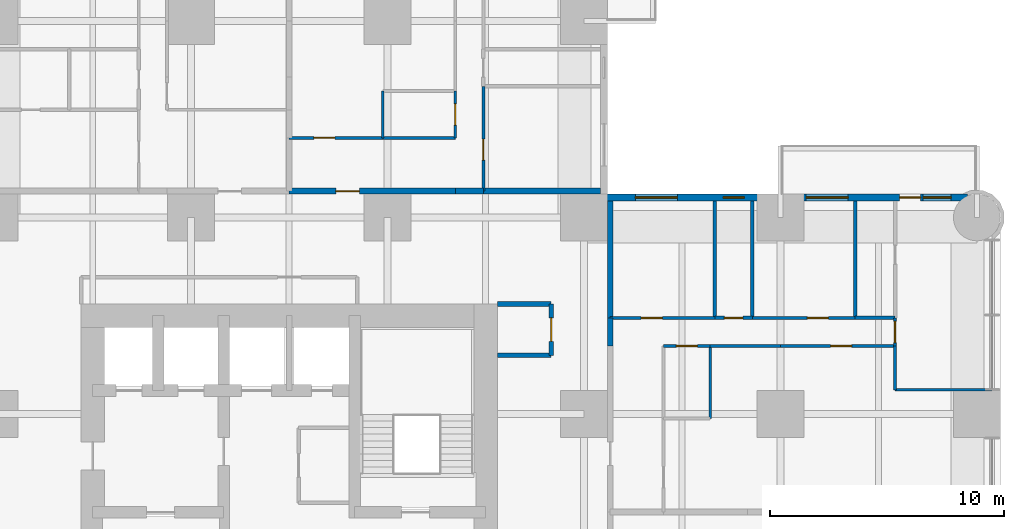
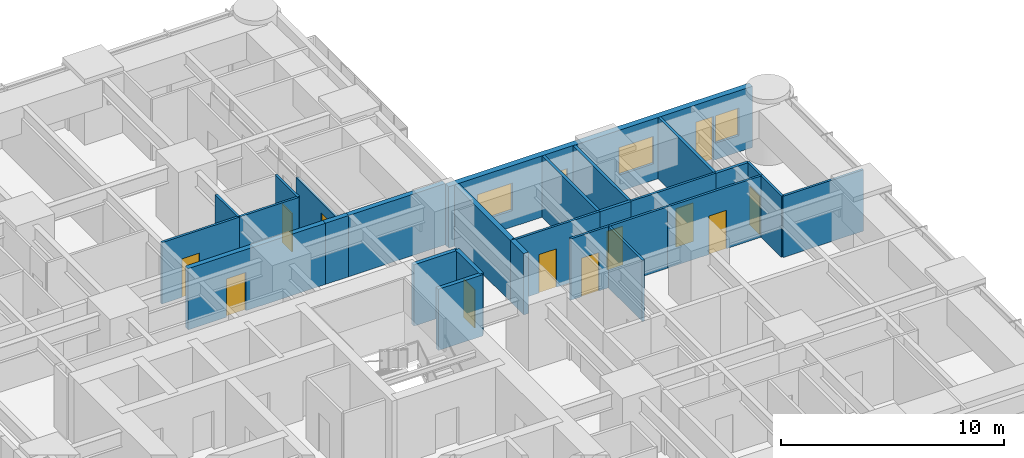
# One storey, part 14 of 17: 28 walls, 12 doors, 4 windows, 16 openings.
"""IFC4 building model written with IfcOpenShell, lengths in metres."""

from ifc_helpers import new_model, si_unit, direction, frame, frame_2d, origin, place, context, subcontext, project, spatial, rectangle, extrude, material, layer, layer_set, type_object, element, fill, save


model = new_model("IFC4")

# Units and contexts
model_context = context("Model", 3, precision=1e-05, world=origin(), true_north=direction((0.0, 1.0)))
body_context = subcontext(model_context, "Body", "Model", "MODEL_VIEW")
ifc_project = project(units=[si_unit("LENGTHUNIT", "METRE"), si_unit("AREAUNIT", "SQUARE_METRE"), si_unit("VOLUMEUNIT", "CUBIC_METRE"), si_unit("PLANEANGLEUNIT", "RADIAN"), si_unit("MASSUNIT", "GRAM", prefix="KILO")], contexts=[model_context])

# Site, building, storey
site_placement = place(None, origin())
site = spatial("IfcSite", under=ifc_project, at=site_placement, CompositionType="ELEMENT")
building_placement = place(site_placement, origin())
building = spatial("IfcBuilding", under=site, at=building_placement, Name="Torre Alcanfor", CompositionType="ELEMENT")
storey_placement = place(building_placement, frame((0.0, 0.0, 99.300048828125)))
storey = spatial("IfcBuildingStorey", under=building, at=storey_placement, Name="L25", CompositionType="ELEMENT", Elevation=99.300048828125)

# Wall, opening, door
ifc_material_1 = material(Name="Concrete block masonry, hollow blocks NMX-C-404 9 MPa", Category="masonry")
ifc_layer_1 = layer(ifc_material_1, 0.25)
ifc_layer_set_1 = layer_set([ifc_layer_1], Name="Apartment entrance wall 250 EI 60")
wall_type_1 = type_object("IfcWallType", Name="Apartment entrance wall 250 EI 60", PredefinedType="PARTITIONING", material=ifc_layer_set_1)
wall_1_placement = place(storey_placement, frame((29.39990234375, 43.125, 0.0), z_axis=(0.0, 0.0, 1.0), x_axis=(1.0, 0.0, 0.0)))
wall_1 = element("IfcWall", 1, at=wall_1_placement, inside=storey, type_object=wall_type_1, Name="Partition L25-CORR / L25-N2-ZAG", PredefinedType="PARTITIONING", context=body_context, shape_type="SweptSolid", body=[
    extrude(rectangle(XDim=7.10009765625, YDim=0.25, at=frame_2d((3.550048828125, 0.0))), origin(), (0.0, 0.0, 1.0), 3.349853515625),
])
opening_1_placement = place(wall_1_placement, frame((2.0, 0.0, 0.0)))
opening_1 = element("IfcOpeningElement", 2, at=opening_1_placement, cuts=wall_1, Name="Opening D-A1", PredefinedType="OPENING", context=body_context, shape_type="SweptSolid", body=[
    extrude(rectangle(XDim=1.0, YDim=2.10009765625, at=frame_2d((0.5, 1.050048828125))), frame((0.0, 0.135009765625, 0.0), z_axis=(0.0, -1.0, 0.0), x_axis=(1.0, 0.0, 0.0)), (0.0, 0.0, 1.0), 0.27001953125),
])
ifc_material_2 = material(Name="Galvanised steel sheet ASTM A653", Category="steel")
door_type_1 = type_object("IfcDoorType", Name="Apartment entrance door FD60 1000x2100", OperationType="SINGLE_SWING_LEFT", PredefinedType="DOOR", material=ifc_material_2)
door_1_placement = place(opening_1_placement, origin())
door_1 = element("IfcDoor", 3, at=door_1_placement, inside=storey, type_object=door_type_1, Name="Apartment entrance L25-N2", OperationType="SINGLE_SWING_LEFT", OverallHeight=2.10009765625, OverallWidth=1.0, PredefinedType="DOOR", context=body_context, shape_type="SweptSolid", body=[
    extrude(rectangle(XDim=1.0, YDim=2.10009765625, at=frame_2d((0.5, 1.050048828125))), frame((0.0, 0.02490234375, 0.0), z_axis=(0.0, -1.0, 0.0), x_axis=(1.0, 0.0, 0.0)), (0.0, 0.0, 1.0), 0.050048828125),
])
fill(opening_1, door_1)

# Walls
wall_2_placement = place(storey_placement, frame((36.5, 43.125, 0.0), z_axis=(0.0, 0.0, 1.0), x_axis=(1.0, 0.0, 0.0)))
element("IfcWall", 4, at=wall_2_placement, inside=storey, type_object=wall_type_1, Name="Partition L25-CORR / L25-N2-HALL", PredefinedType="PARTITIONING", context=body_context, shape_type="SweptSolid", body=[
    extrude(rectangle(XDim=1.199951171875, YDim=0.25, at=frame_2d((0.60009765625, 0.0))), origin(), (0.0, 0.0, 1.0), 3.349853515625),
])
wall_3_placement = place(storey_placement, frame((37.699951171875, 43.125, 0.0), z_axis=(0.0, 0.0, 1.0), x_axis=(1.0, 0.0, 0.0)))
element("IfcWall", 5, at=wall_3_placement, inside=storey, type_object=wall_type_1, Name="Partition L25-CORR / L25-N2-BED3", PredefinedType="PARTITIONING", context=body_context, shape_type="SweptSolid", body=[
    extrude(rectangle(XDim=5.0, YDim=0.25, at=frame_2d((2.5, 0.0))), origin(), (0.0, 0.0, 1.0), 3.349853515625),
])
wall_4_placement = place(storey_placement, frame((43.125, 37.699951171875, 0.0), z_axis=(0.0, 0.0, 1.0), x_axis=(0.0, -1.0, 0.0)))
element("IfcWall", 6, at=wall_4_placement, inside=storey, type_object=wall_type_1, Name="Partition L25-CORR / L25-E1-HALL", PredefinedType="PARTITIONING", context=body_context, shape_type="SweptSolid", body=[
    extrude(rectangle(XDim=1.199951171875, YDim=0.25, at=frame_2d((0.60009765625, 0.0))), origin(), (0.0, 0.0, 1.0), 3.349853515625),
])
wall_5_placement = place(storey_placement, frame((43.125, 42.699951171875, 0.0), z_axis=(0.0, 0.0, 1.0), x_axis=(0.0, -1.0, 0.0)))
element("IfcWall", 7, at=wall_5_placement, inside=storey, type_object=wall_type_1, Name="Partition L25-CORR / L25-E1-BED3", PredefinedType="PARTITIONING", context=body_context, shape_type="SweptSolid", body=[
    extrude(rectangle(XDim=5.0, YDim=0.25, at=frame_2d((2.5, 0.0))), origin(), (0.0, 0.0, 1.0), 3.349853515625),
])

# Wall, opening, door
ifc_material_3 = material(Name="Gypsum board on steel studs", Category="steel")
ifc_layer_2 = layer(ifc_material_3, 0.1201171875)
ifc_layer_set_2 = layer_set([ifc_layer_2], Name="Apartment partition 120")
wall_type_2 = type_object("IfcWallType", Name="Apartment partition 120", PredefinedType="PARTITIONING", material=ifc_layer_set_2)
wall_6_placement = place(storey_placement, frame((29.39990234375, 45.39990234375, 0.0), z_axis=(0.0, 0.0, 1.0), x_axis=(1.0, 0.0, 0.0)))
wall_6 = element("IfcWall", 8, at=wall_6_placement, inside=storey, type_object=wall_type_2, Name="Partition L25-N2-ZAG / L25-N2-KITCHEN", PredefinedType="PARTITIONING", context=body_context, shape_type="SweptSolid", body=[
    extrude(rectangle(XDim=4.0, YDim=0.1201171875, at=frame_2d((2.0, 0.0))), origin(), (0.0, 0.0, 1.0), 3.349853515625),
])
opening_2_placement = place(wall_6_placement, frame((1.050048828125, 0.0, 0.0)))
opening_2 = element("IfcOpeningElement", 9, at=opening_2_placement, cuts=wall_6, Name="Opening D-R1", PredefinedType="OPENING", context=body_context, shape_type="SweptSolid", body=[
    extrude(rectangle(XDim=0.89990234375, YDim=2.10009765625, at=frame_2d((0.449951171875, 1.050048828125))), frame((0.0, 0.070068359375, 0.0), z_axis=(0.0, -1.0, 0.0), x_axis=(1.0, 0.0, 0.0)), (0.0, 0.0, 1.0), 0.14013671875),
])
ifc_material_4 = material(Name="Timber", Category="wood")
door_type_2 = type_object("IfcDoorType", Name="Internal door 900x2100", OperationType="SINGLE_SWING_LEFT", PredefinedType="DOOR", material=ifc_material_4)
door_2_placement = place(opening_2_placement, origin())
door_2 = element("IfcDoor", 10, at=door_2_placement, inside=storey, type_object=door_type_2, Name="Door L25-N2 kitchen", OperationType="SINGLE_SWING_LEFT", OverallHeight=2.10009765625, OverallWidth=0.89990234375, PredefinedType="DOOR", context=body_context, shape_type="SweptSolid", body=[
    extrude(rectangle(XDim=0.89990234375, YDim=2.10009765625, at=frame_2d((0.449951171875, 1.050048828125))), frame((0.0, 0.02490234375, 0.0), z_axis=(0.0, -1.0, 0.0), x_axis=(1.0, 0.0, 0.0)), (0.0, 0.0, 1.0), 0.050048828125),
])
fill(opening_2, door_2)

# Walls
wall_7_placement = place(storey_placement, frame((33.39990234375, 45.39990234375, 0.0), z_axis=(0.0, 0.0, 1.0), x_axis=(1.0, 0.0, 0.0)))
element("IfcWall", 11, at=wall_7_placement, inside=storey, type_object=wall_type_2, Name="Partition L25-N2-ZAG / L25-N2-UTIL", PredefinedType="PARTITIONING", context=body_context, shape_type="SweptSolid", body=[
    extrude(rectangle(XDim=3.10009765625, YDim=0.1201171875, at=frame_2d((1.550048828125, 0.0))), origin(), (0.0, 0.0, 1.0), 3.349853515625),
])
wall_8_placement = place(storey_placement, frame((33.39990234375, 47.39990234375, 0.0), z_axis=(0.0, 0.0, 1.0), x_axis=(0.0, -1.0, 0.0)))
element("IfcWall", 12, at=wall_8_placement, inside=storey, type_object=wall_type_2, Name="Partition L25-N2-KITCHEN / L25-N2-UTIL", PredefinedType="PARTITIONING", context=body_context, shape_type="SweptSolid", body=[
    extrude(rectangle(XDim=2.0, YDim=0.1201171875, at=frame_2d((1.0, 0.0))), origin(), (0.0, 0.0, 1.0), 3.349853515625),
])

# Wall, opening, door
wall_9_placement = place(storey_placement, frame((36.5, 47.39990234375, 0.0), z_axis=(0.0, 0.0, 1.0), x_axis=(0.0, -1.0, 0.0)))
wall_9 = element("IfcWall", 13, at=wall_9_placement, inside=storey, type_object=wall_type_2, Name="Partition L25-N2-UTIL / L25-N2-HALL", PredefinedType="PARTITIONING", context=body_context, shape_type="SweptSolid", body=[
    extrude(rectangle(XDim=2.0, YDim=0.1201171875, at=frame_2d((1.0, 0.0))), origin(), (0.0, 0.0, 1.0), 3.349853515625),
])
opening_3_placement = place(wall_9_placement, frame((0.550048828125, 0.0, 0.0)))
opening_3 = element("IfcOpeningElement", 14, at=opening_3_placement, cuts=wall_9, Name="Opening D-R1", PredefinedType="OPENING", context=body_context, shape_type="SweptSolid", body=[
    extrude(rectangle(XDim=0.89990234375, YDim=2.10009765625, at=frame_2d((0.449951171875, 1.050048828125))), frame((0.0, 0.070068359375, 0.0), z_axis=(0.0, -1.0, 0.0), x_axis=(1.0, 0.0, 0.0)), (0.0, 0.0, 1.0), 0.14013671875),
])
door_3_placement = place(opening_3_placement, frame((0.89990234375, 0.0, 0.0), z_axis=(0.0, 0.0, 1.0), x_axis=(-1.0, 0.0, 0.0)))
door_3 = element("IfcDoor", 15, at=door_3_placement, inside=storey, type_object=door_type_2, Name="Door L25-N2 util", OperationType="SINGLE_SWING_RIGHT", OverallHeight=2.10009765625, OverallWidth=0.89990234375, PredefinedType="DOOR", context=body_context, shape_type="SweptSolid", body=[
    extrude(rectangle(XDim=0.89990234375, YDim=2.10009765625, at=frame_2d((0.449951171875, 1.050048828125))), frame((0.0, 0.025146484375, 0.0), z_axis=(0.0, -1.0, 0.0), x_axis=(1.0, 0.0, 0.0)), (0.0, 0.0, 1.0), 0.050048828125),
])
fill(opening_3, door_3)

wall_10_placement = place(storey_placement, frame((37.699951171875, 47.60009765625, 0.0), z_axis=(0.0, 0.0, 1.0), x_axis=(0.0, -1.0, 0.0)))
wall_10 = element("IfcWall", 16, at=wall_10_placement, inside=storey, type_object=wall_type_2, Name="Partition L25-N2-HALL / L25-N2-BED3", PredefinedType="PARTITIONING", context=body_context, shape_type="SweptSolid", body=[
    extrude(rectangle(XDim=4.47509765625, YDim=0.1201171875, at=frame_2d((2.237548828125, 0.0))), origin(), (0.0, 0.0, 1.0), 2.666748046875),
])
opening_4_placement = place(wall_10_placement, frame((2.25, 0.0, 0.0)))
opening_4 = element("IfcOpeningElement", 17, at=opening_4_placement, cuts=wall_10, Name="Opening D-R1", PredefinedType="OPENING", context=body_context, shape_type="SweptSolid", body=[
    extrude(rectangle(XDim=0.89990234375, YDim=2.10009765625, at=frame_2d((0.449951171875, 1.050048828125))), frame((0.0, 0.070068359375, 0.0), z_axis=(0.0, -1.0, 0.0), x_axis=(1.0, 0.0, 0.0)), (0.0, 0.0, 1.0), 0.14013671875),
])
door_4_placement = place(opening_4_placement, origin())
door_4 = element("IfcDoor", 18, at=door_4_placement, inside=storey, type_object=door_type_2, Name="Door L25-N2 bed3", OperationType="SINGLE_SWING_RIGHT", OverallHeight=2.10009765625, OverallWidth=0.89990234375, PredefinedType="DOOR", context=body_context, shape_type="SweptSolid", body=[
    extrude(rectangle(XDim=0.89990234375, YDim=2.10009765625, at=frame_2d((0.449951171875, 1.050048828125))), frame((0.0, 0.02490234375, 0.0), z_axis=(0.0, -1.0, 0.0), x_axis=(1.0, 0.0, 0.0)), (0.0, 0.0, 1.0), 0.050048828125),
])
fill(opening_4, door_4)

# Walls
wall_11_placement = place(storey_placement, frame((47.39990234375, 33.39990234375, 0.0), z_axis=(0.0, 0.0, 1.0), x_axis=(0.0, 1.0, 0.0)))
element("IfcWall", 19, at=wall_11_placement, inside=storey, type_object=wall_type_2, Name="Partition L25-E1-KITCHEN / L25-E1-UTIL", PredefinedType="PARTITIONING", context=body_context, shape_type="SweptSolid", body=[
    extrude(rectangle(XDim=3.10009765625, YDim=0.1201171875, at=frame_2d((1.550048828125, 0.0))), origin(), (0.0, 0.0, 1.0), 3.349853515625),
])
wall_12_placement = place(storey_placement, frame((47.39990234375, 36.5, 0.0), z_axis=(0.0, 0.0, 1.0), x_axis=(1.0, 0.0, 0.0)))
element("IfcWall", 20, at=wall_12_placement, inside=storey, type_object=wall_type_2, Name="Partition L25-E1-KITCHEN / L25-E1-HALL", PredefinedType="PARTITIONING", context=body_context, shape_type="SweptSolid", body=[
    extrude(rectangle(XDim=3.0, YDim=0.1201171875, at=frame_2d((1.5, 0.0))), origin(), (0.0, 0.0, 1.0), 3.349853515625),
])

# Wall, opening, door
wall_13_placement = place(storey_placement, frame((47.39990234375, 36.5, 0.0), z_axis=(0.0, 0.0, 1.0), x_axis=(-1.0, 0.0, 0.0)))
wall_13 = element("IfcWall", 21, at=wall_13_placement, inside=storey, type_object=wall_type_2, Name="Partition L25-E1-UTIL / L25-E1-HALL", PredefinedType="PARTITIONING", context=body_context, shape_type="SweptSolid", body=[
    extrude(rectangle(XDim=2.0, YDim=0.1201171875, at=frame_2d((1.0, 0.0))), origin(), (0.0, 0.0, 1.0), 3.349853515625),
])
opening_5_placement = place(wall_13_placement, frame((0.550048828125, 0.0, 0.0)))
opening_5 = element("IfcOpeningElement", 22, at=opening_5_placement, cuts=wall_13, Name="Opening D-R1", PredefinedType="OPENING", context=body_context, shape_type="SweptSolid", body=[
    extrude(rectangle(XDim=0.89990234375, YDim=2.10009765625, at=frame_2d((0.449951171875, 1.050048828125))), frame((0.0, 0.070068359375, 0.0), z_axis=(0.0, -1.0, 0.0), x_axis=(1.0, 0.0, 0.0)), (0.0, 0.0, 1.0), 0.14013671875),
])
door_5_placement = place(opening_5_placement, origin())
door_5 = element("IfcDoor", 23, at=door_5_placement, inside=storey, type_object=door_type_2, Name="Door L25-E1 util", OperationType="SINGLE_SWING_LEFT", OverallHeight=2.10009765625, OverallWidth=0.89990234375, PredefinedType="DOOR", context=body_context, shape_type="SweptSolid", body=[
    extrude(rectangle(XDim=0.89990234375, YDim=2.10009765625, at=frame_2d((0.449951171875, 1.050048828125))), frame((0.0, 0.02490234375, 0.0), z_axis=(0.0, -1.0, 0.0), x_axis=(1.0, 0.0, 0.0)), (0.0, 0.0, 1.0), 0.050048828125),
])
fill(opening_5, door_5)

wall_14_placement = place(storey_placement, frame((50.39990234375, 36.5, 0.0), z_axis=(0.0, 0.0, 1.0), x_axis=(1.0, 0.0, 0.0)))
wall_14 = element("IfcWall", 24, at=wall_14_placement, inside=storey, type_object=wall_type_2, Name="Partition L25-E1-LIVING / L25-E1-HALL", PredefinedType="PARTITIONING", context=body_context, shape_type="SweptSolid", body=[
    extrude(rectangle(XDim=4.900146484375, YDim=0.1201171875, at=frame_2d((2.4501953125, 0.0))), origin(), (0.0, 0.0, 1.0), 3.349853515625),
])
opening_6_placement = place(wall_14_placement, frame((2.14990234375, 0.0, 0.0)))
opening_6 = element("IfcOpeningElement", 25, at=opening_6_placement, cuts=wall_14, Name="Opening D-R1", PredefinedType="OPENING", context=body_context, shape_type="SweptSolid", body=[
    extrude(rectangle(XDim=0.89990234375, YDim=2.10009765625, at=frame_2d((0.449951171875, 1.050048828125))), frame((0.0, 0.070068359375, 0.0), z_axis=(0.0, -1.0, 0.0), x_axis=(1.0, 0.0, 0.0)), (0.0, 0.0, 1.0), 0.14013671875),
])
door_6_placement = place(opening_6_placement, frame((0.89990234375, 0.0, 0.0), z_axis=(0.0, 0.0, 1.0), x_axis=(-1.0, 0.0, 0.0)))
door_6 = element("IfcDoor", 26, at=door_6_placement, inside=storey, type_object=door_type_2, Name="Door L25-E1 living", OperationType="SINGLE_SWING_LEFT", OverallHeight=2.10009765625, OverallWidth=0.89990234375, PredefinedType="DOOR", context=body_context, shape_type="SweptSolid", body=[
    extrude(rectangle(XDim=0.89990234375, YDim=2.10009765625, at=frame_2d((0.449951171875, 1.050048828125))), frame((0.0, 0.025146484375, 0.0), z_axis=(0.0, -1.0, 0.0), x_axis=(1.0, 0.0, 0.0)), (0.0, 0.0, 1.0), 0.050048828125),
])
fill(opening_6, door_6)

# Walls
wall_15_placement = place(storey_placement, frame((55.300048828125, 36.5, 0.0), z_axis=(0.0, 0.0, 1.0), x_axis=(0.0, -1.0, 0.0)))
element("IfcWall", 27, at=wall_15_placement, inside=storey, type_object=wall_type_2, Name="Partition L25-E1-LIVING / L25-E1-MASTER", PredefinedType="PARTITIONING", context=body_context, shape_type="SweptSolid", body=[
    extrude(rectangle(XDim=1.87109375, YDim=0.1201171875, at=frame_2d((0.935546875, 0.0))), origin(), (0.0, 0.0, 1.0), 3.349853515625),
])
wall_16_placement = place(storey_placement, frame((55.300048828125, 34.62890625, 0.0), z_axis=(0.0, 0.0, 1.0), x_axis=(1.0, 0.0, 0.0)))
element("IfcWall", 28, at=wall_16_placement, inside=storey, type_object=wall_type_2, Name="Partition L25-E1-LIVING / L25-E1-MASTER", PredefinedType="PARTITIONING", context=body_context, shape_type="SweptSolid", body=[
    extrude(rectangle(XDim=4.14990234375, YDim=0.1201171875, at=frame_2d((2.074951171875, 0.0))), origin(), (0.0, 0.0, 1.0), 3.349853515625),
])

# Wall, opening, door
wall_17_placement = place(storey_placement, frame((47.60009765625, 37.699951171875, 0.0), z_axis=(0.0, 0.0, 1.0), x_axis=(-1.0, 0.0, 0.0)))
wall_17 = element("IfcWall", 29, at=wall_17_placement, inside=storey, type_object=wall_type_2, Name="Partition L25-E1-HALL / L25-E1-BED3", PredefinedType="PARTITIONING", context=body_context, shape_type="SweptSolid", body=[
    extrude(rectangle(XDim=4.47509765625, YDim=0.1201171875, at=frame_2d((2.237548828125, 0.0))), origin(), (0.0, 0.0, 1.0), 3.349853515625),
])
opening_7_placement = place(wall_17_placement, frame((2.25, 0.0, 0.0)))
opening_7 = element("IfcOpeningElement", 30, at=opening_7_placement, cuts=wall_17, Name="Opening D-R1", PredefinedType="OPENING", context=body_context, shape_type="SweptSolid", body=[
    extrude(rectangle(XDim=0.89990234375, YDim=2.10009765625, at=frame_2d((0.449951171875, 1.050048828125))), frame((0.0, 0.070068359375, 0.0), z_axis=(0.0, -1.0, 0.0), x_axis=(1.0, 0.0, 0.0)), (0.0, 0.0, 1.0), 0.14013671875),
])
door_7_placement = place(opening_7_placement, frame((0.89990234375, 0.0, 0.0), z_axis=(0.0, 0.0, 1.0), x_axis=(-1.0, 0.0, 0.0)))
door_7 = element("IfcDoor", 31, at=door_7_placement, inside=storey, type_object=door_type_2, Name="Door L25-E1 bed3", OperationType="SINGLE_SWING_LEFT", OverallHeight=2.10009765625, OverallWidth=0.89990234375, PredefinedType="DOOR", context=body_context, shape_type="SweptSolid", body=[
    extrude(rectangle(XDim=0.89990234375, YDim=2.10009765625, at=frame_2d((0.449951171875, 1.050048828125))), frame((0.0, 0.025146484375, 0.0), z_axis=(0.0, -1.0, 0.0), x_axis=(1.0, 0.0, 0.0)), (0.0, 0.0, 1.0), 0.050048828125),
])
fill(opening_7, door_7)

wall_18_placement = place(storey_placement, frame((53.60009765625, 37.699951171875, 0.0), z_axis=(0.0, 0.0, 1.0), x_axis=(-1.0, 0.0, 0.0)))
wall_18 = element("IfcWall", 32, at=wall_18_placement, inside=storey, type_object=wall_type_2, Name="Partition L25-E1-HALL / L25-E1-BED2", PredefinedType="PARTITIONING", context=body_context, shape_type="SweptSolid", body=[
    extrude(rectangle(XDim=4.400146484375, YDim=0.1201171875, at=frame_2d((2.2001953125, 0.0))), origin(), (0.0, 0.0, 1.0), 3.349853515625),
])
opening_8_placement = place(wall_18_placement, frame((1.14990234375, 0.0, 0.0)))
opening_8 = element("IfcOpeningElement", 33, at=opening_8_placement, cuts=wall_18, Name="Opening D-R1", PredefinedType="OPENING", context=body_context, shape_type="SweptSolid", body=[
    extrude(rectangle(XDim=0.89990234375, YDim=2.10009765625, at=frame_2d((0.449951171875, 1.050048828125))), frame((0.0, 0.070068359375, 0.0), z_axis=(0.0, -1.0, 0.0), x_axis=(1.0, 0.0, 0.0)), (0.0, 0.0, 1.0), 0.14013671875),
])
door_8_placement = place(opening_8_placement, frame((0.89990234375, 0.0, 0.0), z_axis=(0.0, 0.0, 1.0), x_axis=(-1.0, 0.0, 0.0)))
door_8 = element("IfcDoor", 34, at=door_8_placement, inside=storey, type_object=door_type_2, Name="Door L25-E1 bed2", OperationType="SINGLE_SWING_RIGHT", OverallHeight=2.10009765625, OverallWidth=0.89990234375, PredefinedType="DOOR", context=body_context, shape_type="SweptSolid", body=[
    extrude(rectangle(XDim=0.89990234375, YDim=2.10009765625, at=frame_2d((0.449951171875, 1.050048828125))), frame((0.0, 0.025146484375, 0.0), z_axis=(0.0, -1.0, 0.0), x_axis=(1.0, 0.0, 0.0)), (0.0, 0.0, 1.0), 0.050048828125),
])
fill(opening_8, door_8)

wall_19_placement = place(storey_placement, frame((55.300048828125, 36.5, 0.0), z_axis=(0.0, 0.0, 1.0), x_axis=(0.0, 1.0, 0.0)))
wall_19 = element("IfcWall", 35, at=wall_19_placement, inside=storey, type_object=wall_type_2, Name="Partition L25-E1-HALL / L25-E1-MASTER", PredefinedType="PARTITIONING", context=body_context, shape_type="SweptSolid", body=[
    extrude(rectangle(XDim=1.199951171875, YDim=0.1201171875, at=frame_2d((0.60009765625, 0.0))), origin(), (0.0, 0.0, 1.0), 3.349853515625),
])
opening_9_placement = place(wall_19_placement, frame((0.14990234375, 0.0, 0.0)))
opening_9 = element("IfcOpeningElement", 36, at=opening_9_placement, cuts=wall_19, Name="Opening D-R1", PredefinedType="OPENING", context=body_context, shape_type="SweptSolid", body=[
    extrude(rectangle(XDim=0.89990234375, YDim=2.10009765625, at=frame_2d((0.449951171875, 1.050048828125))), frame((0.0, 0.070068359375, 0.0), z_axis=(0.0, -1.0, 0.0), x_axis=(1.0, 0.0, 0.0)), (0.0, 0.0, 1.0), 0.14013671875),
])
door_9_placement = place(opening_9_placement, frame((0.89990234375, 0.0, 0.0), z_axis=(0.0, 0.0, 1.0), x_axis=(-1.0, 0.0, 0.0)))
door_9 = element("IfcDoor", 37, at=door_9_placement, inside=storey, type_object=door_type_2, Name="Door L25-E1 master", OperationType="SINGLE_SWING_RIGHT", OverallHeight=2.10009765625, OverallWidth=0.89990234375, PredefinedType="DOOR", context=body_context, shape_type="SweptSolid", body=[
    extrude(rectangle(XDim=0.89990234375, YDim=2.10009765625, at=frame_2d((0.449951171875, 1.050048828125))), frame((0.0, 0.025146484375, 0.0), z_axis=(0.0, -1.0, 0.0), x_axis=(1.0, 0.0, 0.0)), (0.0, 0.0, 1.0), 0.050048828125),
])
fill(opening_9, door_9)

# Wall, openings, door, windows
ifc_material_5 = material(Name="Limestone cladding", Category="masonry")
ifc_layer_3 = layer(ifc_material_5, 0.0400390625, Name="Facing")
ifc_material_6 = material(Name="Ventilated air cavity")
ifc_layer_4 = layer(ifc_material_6, 0.02001953125, ventilated=True, Name="Ventilated joint")
ifc_material_7 = material(Name="Mineral wool insulation", Category="insulation")
ifc_layer_5 = layer(ifc_material_7, 0.10009765625, Name="Insulation")
ifc_material_8 = material(Name="Concrete f'c 35 MPa", Category="concrete")
ifc_layer_6 = layer(ifc_material_8, 0.139892578125, Name="Backing")
ifc_layer_set_3 = layer_set([ifc_layer_3, ifc_layer_4, ifc_layer_5, ifc_layer_6], Name="External wall stone-clad 300")
wall_type_3 = type_object("IfcWallType", Name="External wall stone-clad 300", PredefinedType="SOLIDWALL", material=ifc_layer_set_3)
wall_20_placement = place(storey_placement, frame((58.39990234375, 42.85009765625, 0.0), z_axis=(0.0, 0.0, 1.0), x_axis=(-1.0, 0.0, 0.0)))
wall_20 = element("IfcWall", 38, at=wall_20_placement, inside=storey, type_object=wall_type_3, Name="External wall L25 9", PredefinedType="SOLIDWALL", context=body_context, shape_type="SweptSolid", body=[
    extrude(rectangle(XDim=15.699951171875, YDim=0.300048828125, at=frame_2d((7.85009765625, 0.0))), origin(), (0.0, 0.0, 1.0), 3.349853515625),
])
opening_10_placement = place(wall_20_placement, frame((12.39990234375, 0.0, 0.89990234375)))
opening_10 = element("IfcOpeningElement", 39, at=opening_10_placement, cuts=wall_20, Name="Opening W2", PredefinedType="OPENING", context=body_context, shape_type="SweptSolid", body=[
    extrude(rectangle(XDim=1.800048828125, YDim=1.5, at=frame_2d((0.89990234375, 0.75))), frame((0.0, 0.159912109375, 0.0), z_axis=(0.0, -1.0, 0.0), x_axis=(1.0, 0.0, 0.0)), (0.0, 0.0, 1.0), 0.320068359375),
])
opening_11_placement = place(wall_20_placement, frame((9.550048828125, 0.0, 1.5)))
opening_11 = element("IfcOpeningElement", 40, at=opening_11_placement, cuts=wall_20, Name="Opening W3", PredefinedType="OPENING", context=body_context, shape_type="SweptSolid", body=[
    extrude(rectangle(XDim=0.89990234375, YDim=0.699951171875, at=frame_2d((0.449951171875, 0.35009765625))), frame((0.0, 0.159912109375, 0.0), z_axis=(0.0, -1.0, 0.0), x_axis=(1.0, 0.0, 0.0)), (0.0, 0.0, 1.0), 0.320068359375),
])
opening_12_placement = place(wall_20_placement, frame((5.10009765625, 0.0, 0.89990234375)))
opening_12 = element("IfcOpeningElement", 41, at=opening_12_placement, cuts=wall_20, Name="Opening W2", PredefinedType="OPENING", context=body_context, shape_type="SweptSolid", body=[
    extrude(rectangle(XDim=1.800048828125, YDim=1.5, at=frame_2d((0.89990234375, 0.75))), frame((0.0, 0.159912109375, 0.0), z_axis=(0.0, -1.0, 0.0), x_axis=(1.0, 0.0, 0.0)), (0.0, 0.0, 1.0), 0.320068359375),
])
opening_13_placement = place(wall_20_placement, frame((2.0, 0.0, 0.0)))
opening_13 = element("IfcOpeningElement", 42, at=opening_13_placement, cuts=wall_20, Name="Opening D-B1", PredefinedType="OPENING", context=body_context, shape_type="SweptSolid", body=[
    extrude(rectangle(XDim=0.89990234375, YDim=2.39990234375, at=frame_2d((0.449951171875, 1.199951171875))), frame((0.0, 0.159912109375, 0.0), z_axis=(0.0, -1.0, 0.0), x_axis=(1.0, 0.0, 0.0)), (0.0, 0.0, 1.0), 0.320068359375),
])
opening_14_placement = place(wall_20_placement, frame((0.699951171875, 0.0, 0.89990234375)))
opening_14 = element("IfcOpeningElement", 43, at=opening_14_placement, cuts=wall_20, Name="Opening W4", PredefinedType="OPENING", context=body_context, shape_type="SweptSolid", body=[
    extrude(rectangle(XDim=1.199951171875, YDim=1.5, at=frame_2d((0.60009765625, 0.75))), frame((0.0, 0.159912109375, 0.0), z_axis=(0.0, -1.0, 0.0), x_axis=(1.0, 0.0, 0.0)), (0.0, 0.0, 1.0), 0.320068359375),
])
ifc_material_9 = material(Name="Aluminium and glass", Category="aluminium")
door_type_3 = type_object("IfcDoorType", Name="Balcony door glazed 900x2400", OperationType="SINGLE_SWING_LEFT", PredefinedType="DOOR", material=ifc_material_9)
door_10_placement = place(opening_13_placement, origin())
door_10 = element("IfcDoor", 44, at=door_10_placement, inside=storey, type_object=door_type_3, Name="Balcony door L25-E1", OperationType="SINGLE_SWING_RIGHT", OverallHeight=2.39990234375, OverallWidth=0.89990234375, PredefinedType="DOOR", context=body_context, shape_type="SweptSolid", body=[
    extrude(rectangle(XDim=0.89990234375, YDim=2.39990234375, at=frame_2d((0.449951171875, 1.199951171875))), frame((0.0, 0.02490234375, 0.0), z_axis=(0.0, -1.0, 0.0), x_axis=(1.0, 0.0, 0.0)), (0.0, 0.0, 1.0), 0.050048828125),
])
fill(opening_13, door_10)
ifc_material_10 = material(Name="Aluminium frame with clear double glazing", Category="aluminium")
window_type_1 = type_object("IfcWindowType", Name="Window bathroom 900x700", PartitioningType="SINGLE_PANEL", PredefinedType="WINDOW", material=ifc_material_10)
window_1_placement = place(opening_11_placement, origin())
window_1 = element("IfcWindow", 45, at=window_1_placement, inside=storey, type_object=window_type_1, Name="Window W3 L25-E1", OverallHeight=0.699951171875, OverallWidth=0.89990234375, PartitioningType="SINGLE_PANEL", PredefinedType="WINDOW", context=body_context, shape_type="SweptSolid", body=[
    extrude(rectangle(XDim=0.89990234375, YDim=0.699951171875, at=frame_2d((0.449951171875, 0.35009765625))), frame((0.0, 0.030029296875, 0.0), z_axis=(0.0, -1.0, 0.0), x_axis=(1.0, 0.0, 0.0)), (0.0, 0.0, 1.0), 0.06005859375),
])
fill(opening_11, window_1)
ifc_material_11 = material(Name="Aluminium frame with clear double glazing", Category="aluminium")
window_type_2 = type_object("IfcWindowType", Name="Window bedroom 1200x1500", PartitioningType="SINGLE_PANEL", PredefinedType="WINDOW", material=ifc_material_11)
window_2_placement = place(opening_14_placement, origin())
window_2 = element("IfcWindow", 46, at=window_2_placement, inside=storey, type_object=window_type_2, Name="Window W4 L25-E1", OverallHeight=1.5, OverallWidth=1.199951171875, PartitioningType="SINGLE_PANEL", PredefinedType="WINDOW", context=body_context, shape_type="SweptSolid", body=[
    extrude(rectangle(XDim=1.199951171875, YDim=1.5, at=frame_2d((0.60009765625, 0.75))), frame((0.0, 0.030029296875, 0.0), z_axis=(0.0, -1.0, 0.0), x_axis=(1.0, 0.0, 0.0)), (0.0, 0.0, 1.0), 0.06005859375),
])
fill(opening_14, window_2)
ifc_material_12 = material(Name="Aluminium frame with clear double glazing", Category="aluminium")
window_type_3 = type_object("IfcWindowType", Name="Window bedroom 1800x1500", PartitioningType="SINGLE_PANEL", PredefinedType="WINDOW", material=ifc_material_12)
window_3_placement = place(opening_10_placement, origin())
window_3 = element("IfcWindow", 47, at=window_3_placement, inside=storey, type_object=window_type_3, Name="Window W2 L25-E1", OverallHeight=1.5, OverallWidth=1.800048828125, PartitioningType="SINGLE_PANEL", PredefinedType="WINDOW", context=body_context, shape_type="SweptSolid", body=[
    extrude(rectangle(XDim=1.800048828125, YDim=1.5, at=frame_2d((0.89990234375, 0.75))), frame((0.0, 0.030029296875, 0.0), z_axis=(0.0, -1.0, 0.0), x_axis=(1.0, 0.0, 0.0)), (0.0, 0.0, 1.0), 0.06005859375),
])
fill(opening_10, window_3)
window_4_placement = place(opening_12_placement, origin())
window_4 = element("IfcWindow", 48, at=window_4_placement, inside=storey, type_object=window_type_3, Name="Window W2 L25-E1", OverallHeight=1.5, OverallWidth=1.800048828125, PartitioningType="SINGLE_PANEL", PredefinedType="WINDOW", context=body_context, shape_type="SweptSolid", body=[
    extrude(rectangle(XDim=1.800048828125, YDim=1.5, at=frame_2d((0.89990234375, 0.75))), frame((0.0, 0.030029296875, 0.0), z_axis=(0.0, -1.0, 0.0), x_axis=(1.0, 0.0, 0.0)), (0.0, 0.0, 1.0), 0.06005859375),
])
fill(opening_12, window_4)

# Wall
ifc_material_13 = material(Name="Concrete block masonry, hollow blocks NMX-C-404 9 MPa", Category="masonry")
ifc_layer_7 = layer(ifc_material_13, 0.199951171875)
ifc_layer_set_4 = layer_set([ifc_layer_7], Name="Plant room wall 200 EI 60")
wall_type_4 = type_object("IfcWallType", Name="Plant room wall 200 EI 60", PredefinedType="PARTITIONING", material=ifc_layer_set_4)
wall_21_placement = place(storey_placement, frame((38.300048828125, 36.10009765625, 0.0), z_axis=(0.0, 0.0, 1.0), x_axis=(1.0, 0.0, 0.0)))
element("IfcWall", 49, at=wall_21_placement, inside=storey, type_object=wall_type_4, Name="Partition L25-CORR / L25-G03", PredefinedType="PARTITIONING", context=body_context, shape_type="SweptSolid", body=[
    extrude(rectangle(XDim=2.300048828125, YDim=0.199951171875, at=frame_2d((1.14990234375, 0.0))), origin(), (0.0, 0.0, 1.0), 3.349853515625),
])

# Wall, opening, door
wall_22_placement = place(storey_placement, frame((40.60009765625, 36.10009765625, 0.0), z_axis=(0.0, 0.0, 1.0), x_axis=(0.0, 1.0, 0.0)))
wall_22 = element("IfcWall", 50, at=wall_22_placement, inside=storey, type_object=wall_type_4, Name="Partition L25-CORR / L25-G03", PredefinedType="PARTITIONING", context=body_context, shape_type="SweptSolid", body=[
    extrude(rectangle(XDim=2.199951171875, YDim=0.199951171875, at=frame_2d((1.10009765625, 0.0))), origin(), (0.0, 0.0, 1.0), 3.349853515625),
])
opening_15_placement = place(wall_22_placement, frame((0.60009765625, 0.0, 0.0)))
opening_15 = element("IfcOpeningElement", 51, at=opening_15_placement, cuts=wall_22, Name="Opening D-K1", PredefinedType="OPENING", context=body_context, shape_type="SweptSolid", body=[
    extrude(rectangle(XDim=1.0, YDim=2.10009765625, at=frame_2d((0.5, 1.050048828125))), frame((0.0, 0.10986328125, 0.0), z_axis=(0.0, -1.0, 0.0), x_axis=(1.0, 0.0, 0.0)), (0.0, 0.0, 1.0), 0.219970703125),
])
ifc_material_14 = material(Name="Galvanised steel sheet ASTM A653", Category="steel")
door_type_4 = type_object("IfcDoorType", Name="Core room door FD60 1000x2100", OperationType="SINGLE_SWING_LEFT", PredefinedType="DOOR", material=ifc_material_14)
door_11_placement = place(opening_15_placement, origin())
door_11 = element("IfcDoor", 52, at=door_11_placement, inside=storey, type_object=door_type_4, Name="Door L25-G03 refuse and recycling store", OperationType="SINGLE_SWING_LEFT", OverallHeight=2.10009765625, OverallWidth=1.0, PredefinedType="DOOR", context=body_context, shape_type="SweptSolid", body=[
    extrude(rectangle(XDim=1.0, YDim=2.10009765625, at=frame_2d((0.5, 1.050048828125))), frame((0.0, 0.02490234375, 0.0), z_axis=(0.0, -1.0, 0.0), x_axis=(1.0, 0.0, 0.0)), (0.0, 0.0, 1.0), 0.050048828125),
])
fill(opening_15, door_11)

# Wall
wall_23_placement = place(storey_placement, frame((40.60009765625, 38.300048828125, 0.0), z_axis=(0.0, 0.0, 1.0), x_axis=(-1.0, 0.0, 0.0)))
element("IfcWall", 53, at=wall_23_placement, inside=storey, type_object=wall_type_4, Name="Partition L25-CORR / L25-G03", PredefinedType="PARTITIONING", context=body_context, shape_type="SweptSolid", body=[
    extrude(rectangle(XDim=2.300048828125, YDim=0.199951171875, at=frame_2d((1.14990234375, 0.0))), origin(), (0.0, 0.0, 1.0), 3.349853515625),
])

# Wall, opening, door
ifc_material_15 = material(Name="Cement board on steel studs", Category="steel")
ifc_layer_8 = layer(ifc_material_15, 0.14990234375)
ifc_layer_set_5 = layer_set([ifc_layer_8], Name="Wet area partition 150")
wall_type_5 = type_object("IfcWallType", Name="Wet area partition 150", PredefinedType="PARTITIONING", material=ifc_layer_set_5)
wall_24_placement = place(storey_placement, frame((49.199951171875, 37.699951171875, 0.0), z_axis=(0.0, 0.0, 1.0), x_axis=(-1.0, 0.0, 0.0)))
wall_24 = element("IfcWall", 54, at=wall_24_placement, inside=storey, type_object=wall_type_5, Name="Partition L25-E1-HALL / L25-E1-BATH1", PredefinedType="PARTITIONING", context=body_context, shape_type="SweptSolid", body=[
    extrude(rectangle(XDim=1.599853515625, YDim=0.14990234375, at=frame_2d((0.7998046875, 0.0))), origin(), (0.0, 0.0, 1.0), 3.349853515625),
])
opening_16_placement = place(wall_24_placement, frame((0.39990234375, 0.0, 0.0)))
opening_16 = element("IfcOpeningElement", 55, at=opening_16_placement, cuts=wall_24, Name="Opening D-R2", PredefinedType="OPENING", context=body_context, shape_type="SweptSolid", body=[
    extrude(rectangle(XDim=0.800048828125, YDim=2.10009765625, at=frame_2d((0.39990234375, 1.050048828125))), frame((0.0, 0.0849609375, 0.0), z_axis=(0.0, -1.0, 0.0), x_axis=(1.0, 0.0, 0.0)), (0.0, 0.0, 1.0), 0.169921875),
])
ifc_material_16 = material(Name="Timber", Category="wood")
door_type_5 = type_object("IfcDoorType", Name="Bathroom door 800x2100", OperationType="SINGLE_SWING_LEFT", PredefinedType="DOOR", material=ifc_material_16)
door_12_placement = place(opening_16_placement, frame((0.800048828125, 0.0, 0.0), z_axis=(0.0, 0.0, 1.0), x_axis=(-1.0, 0.0, 0.0)))
door_12 = element("IfcDoor", 56, at=door_12_placement, inside=storey, type_object=door_type_5, Name="Door L25-E1 bath1", OperationType="SINGLE_SWING_RIGHT", OverallHeight=2.10009765625, OverallWidth=0.800048828125, PredefinedType="DOOR", context=body_context, shape_type="SweptSolid", body=[
    extrude(rectangle(XDim=0.800048828125, YDim=2.10009765625, at=frame_2d((0.400146484375, 1.050048828125))), frame((0.0, 0.025146484375, 0.0), z_axis=(0.0, -1.0, 0.0), x_axis=(1.0, 0.0, 0.0)), (0.0, 0.0, 1.0), 0.050048828125),
])
fill(opening_16, door_12)

# Walls
wall_25_placement = place(storey_placement, frame((55.300048828125, 37.699951171875, 0.0), z_axis=(0.0, 0.0, 1.0), x_axis=(-1.0, 0.0, 0.0)))
element("IfcWall", 57, at=wall_25_placement, inside=storey, type_object=wall_type_5, Name="Partition L25-E1-HALL / L25-E1-ENSBATH", PredefinedType="PARTITIONING", context=body_context, shape_type="SweptSolid", body=[
    extrude(rectangle(XDim=1.699951171875, YDim=0.14990234375, at=frame_2d((0.85009765625, 0.0))), origin(), (0.0, 0.0, 1.0), 3.349853515625),
])
for number, where, z_axis, x_axis, name in (
    (58, (47.60009765625, 37.699951171875, 0.0), (0.0, 0.0, 1.0), (0.0, 1.0, 0.0), "Partition L25-E1-BED3 / L25-E1-BATH1"),
    (59, (49.199951171875, 37.699951171875, 0.0), (0.0, 0.0, 1.0), (0.0, 1.0, 0.0), "Partition L25-E1-BATH1 / L25-E1-BED2"),
    (60, (53.60009765625, 37.699951171875, 0.0), (0.0, 0.0, 1.0), (0.0, 1.0, 0.0), "Partition L25-E1-BED2 / L25-E1-ENSBATH"),
):
    element("IfcWall", number, at=place(storey_placement, frame(where, z_axis=z_axis, x_axis=x_axis)), inside=storey, type_object=wall_type_5, Name=name, PredefinedType="PARTITIONING", context=body_context, shape_type="SweptSolid", body=[
        extrude(rectangle(XDim=5.0, YDim=0.14990234375, at=frame_2d((2.5, 0.0))), origin(), (0.0, 0.0, 1.0), 3.349853515625),
    ])

save(model, "model.ifc")
